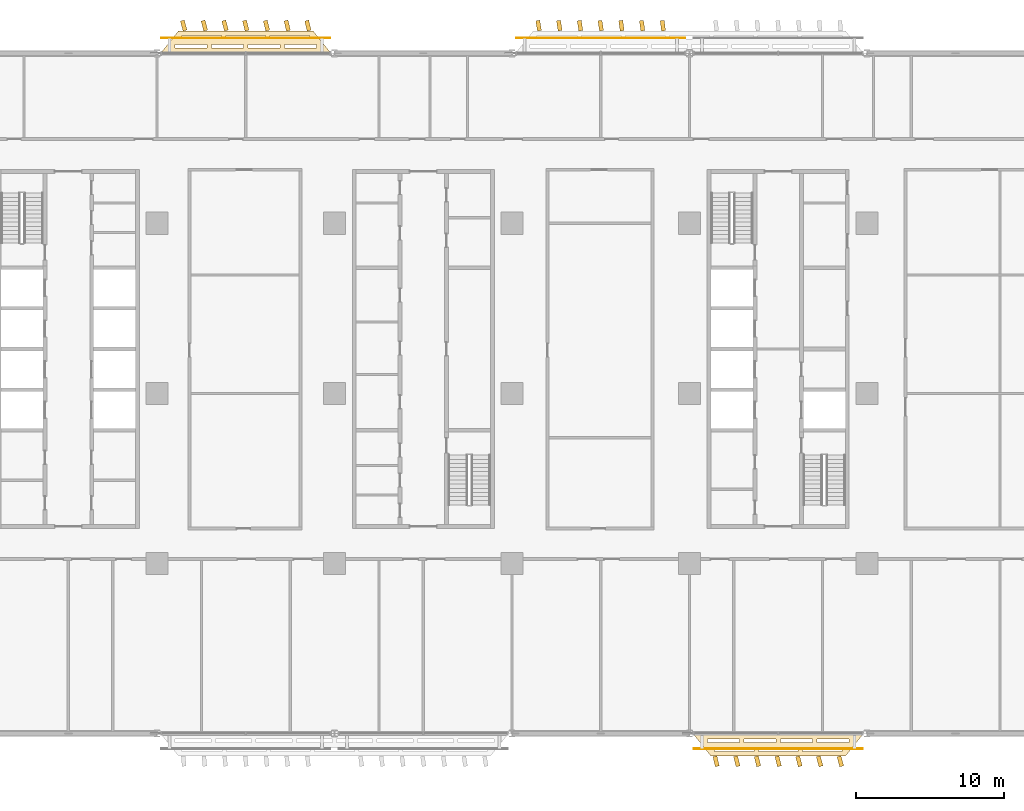
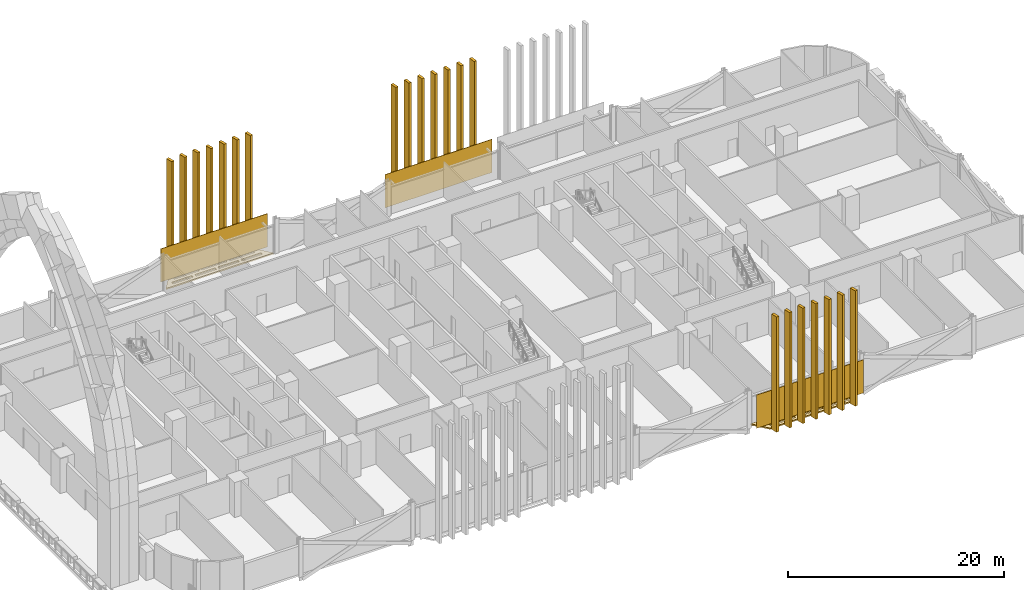
# One storey, part 26 of 29: 26 coverings.
"""IFC4 building model written with IfcOpenShell, lengths in metres."""

from ifc_helpers import new_model, si_unit, direction, frame, origin, origin_2d, place, context, subcontext, project, spatial, polyline, rectangle, outline, extrude, material, layer, layer_set, type_object, element, save


model = new_model("IFC4")

# Units and contexts
model_context = context("Model", 3, precision=1e-05, world=origin(), true_north=direction((0.0, 1.0)))
body_context = subcontext(model_context, "Body", "Model", "MODEL_VIEW")
ifc_project = project(units=[si_unit("LENGTHUNIT", "METRE"), si_unit("AREAUNIT", "SQUARE_METRE"), si_unit("VOLUMEUNIT", "CUBIC_METRE"), si_unit("PLANEANGLEUNIT", "RADIAN"), si_unit("MASSUNIT", "GRAM", prefix="KILO")], contexts=[model_context])

# Site, building, storey
site_placement = place(None, origin())
site = spatial("IfcSite", under=ifc_project, at=site_placement, CompositionType="ELEMENT")
building_placement = place(site_placement, origin())
building = spatial("IfcBuilding", under=site, at=building_placement, Name="Mahtab Terrace Research Tower", CompositionType="ELEMENT")
storey_placement = place(building_placement, frame((0.0, 0.0, 46.0)))
storey = spatial("IfcBuildingStorey", under=building, at=storey_placement, Name="L10", CompositionType="ELEMENT", Elevation=46.0)

# Coverings
ifc_material_1 = material(Name="Black anodised aluminium", Category="aluminium")
ifc_layer_1 = layer(ifc_material_1, 0.14990234375)
ifc_layer_set_1 = layer_set([ifc_layer_1], Name="Horizontal sunshade band")
covering_type_1 = type_object("IfcCoveringType", Name="Horizontal sunshade band", PredefinedType="CLADDING", material=ifc_layer_set_1)
covering_1_placement = place(storey_placement, frame((0.0, 0.0, -0.14990234375)))
element("IfcCovering", 1, at=covering_1_placement, inside=storey, type_object=covering_type_1, Name="Sunshade band L10 8", PredefinedType="CLADDING", context=body_context, shape_type="SweptSolid", body=[
    extrude(outline(polyline([(-6.238037109375, 23.0), (-17.761962890625, 23.0), (-16.56201171875, 24.5), (-7.43798828125, 24.5), (-6.238037109375, 23.0)]), holes=[polyline([(-7.218017578125, 23.35009765625), (-9.384033203125, 23.35009765625), (-9.384033203125, 23.60009765625), (-7.218017578125, 23.60009765625), (-7.218017578125, 23.35009765625)]), polyline([(-9.68408203125, 23.35009765625), (-11.85009765625, 23.35009765625), (-11.85009765625, 23.60009765625), (-9.68408203125, 23.60009765625), (-9.68408203125, 23.35009765625)]), polyline([(-12.14990234375, 23.35009765625), (-14.31591796875, 23.35009765625), (-14.31591796875, 23.60009765625), (-12.14990234375, 23.60009765625), (-12.14990234375, 23.35009765625)]), polyline([(-14.615966796875, 23.35009765625), (-16.781982421875, 23.35009765625), (-16.781982421875, 23.60009765625), (-14.615966796875, 23.60009765625), (-14.615966796875, 23.35009765625)]), polyline([(-7.697998046875, 23.949951171875), (-10.365966796875, 23.949951171875), (-10.365966796875, 24.199951171875), (-7.697998046875, 24.199951171875), (-7.697998046875, 23.949951171875)]), polyline([(-10.666015625, 23.949951171875), (-13.333984375, 23.949951171875), (-13.333984375, 24.199951171875), (-10.666015625, 24.199951171875), (-10.666015625, 23.949951171875)]), polyline([(-13.634033203125, 23.949951171875), (-16.302001953125, 23.949951171875), (-16.302001953125, 24.199951171875), (-13.634033203125, 24.199951171875), (-13.634033203125, 23.949951171875)])]), origin(), (0.0, 0.0, 1.0), 0.14990234375),
])
covering_2_placement = place(storey_placement, frame((0.0, 0.0, -0.14990234375)))
element("IfcCovering", 2, at=covering_2_placement, inside=storey, type_object=covering_type_1, Name="Sunshade band L10 28", PredefinedType="CLADDING", context=body_context, shape_type="SweptSolid", body=[
    extrude(outline(polyline([(18.238037109375, -23.0), (29.761962890625, -23.0), (28.56201171875, -24.5), (19.43798828125, -24.5), (18.238037109375, -23.0)]), holes=[polyline([(19.218017578125, -23.35009765625), (21.384033203125, -23.35009765625), (21.384033203125, -23.60009765625), (19.218017578125, -23.60009765625), (19.218017578125, -23.35009765625)]), polyline([(21.68408203125, -23.35009765625), (23.85009765625, -23.35009765625), (23.85009765625, -23.60009765625), (21.68408203125, -23.60009765625), (21.68408203125, -23.35009765625)]), polyline([(24.14990234375, -23.35009765625), (26.31591796875, -23.35009765625), (26.31591796875, -23.60009765625), (24.14990234375, -23.60009765625), (24.14990234375, -23.35009765625)]), polyline([(26.615966796875, -23.35009765625), (28.781982421875, -23.35009765625), (28.781982421875, -23.60009765625), (26.615966796875, -23.60009765625), (26.615966796875, -23.35009765625)]), polyline([(19.697998046875, -23.949951171875), (22.365966796875, -23.949951171875), (22.365966796875, -24.199951171875), (19.697998046875, -24.199951171875), (19.697998046875, -23.949951171875)]), polyline([(22.666015625, -23.949951171875), (25.333984375, -23.949951171875), (25.333984375, -24.199951171875), (22.666015625, -24.199951171875), (22.666015625, -23.949951171875)]), polyline([(25.634033203125, -23.949951171875), (28.302001953125, -23.949951171875), (28.302001953125, -24.199951171875), (25.634033203125, -24.199951171875), (25.634033203125, -23.949951171875)])]), origin(), (0.0, 0.0, 1.0), 0.14990234375),
])
ifc_material_2 = material(Name="Bronze anodised aluminium", Category="aluminium")
ifc_layer_2 = layer(ifc_material_2, 0.050048828125)
ifc_layer_set_2 = layer_set([ifc_layer_2], Name="Sky lounge girih screen panel")
covering_type_2 = type_object("IfcCoveringType", Name="Sky lounge girih screen panel", PredefinedType="CLADDING", material=ifc_layer_set_2)
for number, where, z_axis, x_axis, name in (
    (3, (12.0, 24.02490234375, 0.10009765625), (0.0, 0.0, 1.0), (-1.0, 0.0, 0.0), "Girih screen L10 N7"),
    (4, (-12.0, 24.02490234375, 0.10009765625), (0.0, 0.0, 1.0), (-1.0, 0.0, 0.0), "Girih screen L10 N9"),
    (5, (24.0, -24.02490234375, 0.10009765625), (0.0, 0.0, 1.0), (1.0, 0.0, 0.0), "Girih screen L10 S29"),
):
    element("IfcCovering", number, at=place(storey_placement, frame(where, z_axis=z_axis, x_axis=x_axis)), inside=storey, type_object=covering_type_2, Name=name, PredefinedType="CLADDING", context=body_context, shape_type="SweptSolid", body=[
        extrude(rectangle(XDim=11.424072265625, YDim=0.050048828125, at=origin_2d()), origin(), (0.0, 0.0, 1.0), 3.760009765625),
    ])
ifc_layer_3 = layer(ifc_material_2, 0.1201171875)
ifc_layer_set_3 = layer_set([ifc_layer_3], Name="Vertical fin 700")
covering_type_3 = type_object("IfcCoveringType", Name="Vertical fin 700", PredefinedType="CLADDING", material=ifc_layer_set_3)
for number, where, z_axis, x_axis, name in (
    (6, (16.199951171875, 24.865478515625, -0.14990234375), (0.0, 0.0, 1.0), (-0.991281368707, -0.131762088833, 0.0), "Fin L10 N1"),
    (7, (14.800048828125, 24.865966796875, -0.14990234375), (0.0, 0.0, 1.0), (-0.990498036675, -0.137526867716, 0.0), "Fin L10 N2"),
    (8, (13.39990234375, 24.866455078125, -0.14990234375), (0.0, 0.0, 1.0), (-0.989681179966, -0.143286991809, 0.0), "Fin L10 N3"),
    (9, (12.0, 24.866943359375, -0.14990234375), (0.0, 0.0, 1.0), (-0.988830826226, -0.149042266169, 0.0), "Fin L10 N4"),
    (10, (10.60009765625, 24.867431640625, -0.14990234375), (0.0, 0.0, 1.0), (-0.987947004235, -0.154792496019, 0.0), "Fin L10 N5"),
    (11, (9.199951171875, 24.867919921875, -0.14990234375), (0.0, 0.0, 1.0), (-0.98702974391, -0.160537486702, 0.0), "Fin L10 N6"),
    (12, (7.800048828125, 24.868408203125, -0.14990234375), (0.0, 0.0, 1.0), (-0.986079076296, -0.166277043787, 0.0), "Fin L10 N7"),
    (13, (-7.800048828125, 24.872802734375, -0.14990234375), (0.0, 0.0, 1.0), (-0.973236201459, -0.22980708468, 0.0), "Fin L10 N1"),
    (14, (-9.199951171875, 24.873046875, -0.14990234375), (0.0, 0.0, 1.0), (-0.971882775364, -0.235465222381, 0.0), "Fin L10 N2"),
    (15, (-10.60009765625, 24.87353515625, -0.14990234375), (0.0, 0.0, 1.0), (-0.970496454648, -0.24111539046, 0.0), "Fin L10 N3"),
    (16, (-12.0, 24.873779296875, -0.14990234375), (0.0, 0.0, 1.0), (-0.969077286228, -0.246757397695, 0.0), "Fin L10 N4"),
    (17, (-13.39990234375, 24.8740234375, -0.14990234375), (0.0, 0.0, 1.0), (-0.967625318147, -0.252391053092, 0.0), "Fin L10 N5"),
    (18, (-14.800048828125, 24.874267578125, -0.14990234375), (0.0, 0.0, 1.0), (-0.966140599544, -0.25801616599, 0.0), "Fin L10 N6"),
    (19, (-16.199951171875, 24.87451171875, -0.14990234375), (0.0, 0.0, 1.0), (-0.964623180667, -0.263632546017, 0.0), "Fin L10 N7"),
    (20, (19.800048828125, -24.872802734375, -0.14990234375), (0.0, 0.0, 1.0), (0.973236201459, 0.22980708468, 0.0), "Fin L10 S1"),
    (21, (21.199951171875, -24.873046875, -0.14990234375), (0.0, 0.0, 1.0), (0.971882775364, 0.235465222381, 0.0), "Fin L10 S2"),
    (22, (22.60009765625, -24.87353515625, -0.14990234375), (0.0, 0.0, 1.0), (0.970496454648, 0.24111539046, 0.0), "Fin L10 S3"),
    (23, (24.0, -24.873779296875, -0.14990234375), (0.0, 0.0, 1.0), (0.969077286228, 0.246757397695, 0.0), "Fin L10 S4"),
    (24, (25.39990234375, -24.8740234375, -0.14990234375), (0.0, 0.0, 1.0), (0.967625318147, 0.252391053092, 0.0), "Fin L10 S5"),
    (25, (26.800048828125, -24.874267578125, -0.14990234375), (0.0, 0.0, 1.0), (0.966140599544, 0.25801616599, 0.0), "Fin L10 S6"),
    (26, (28.199951171875, -24.87451171875, -0.14990234375), (0.0, 0.0, 1.0), (0.964623180667, 0.263632546017, 0.0), "Fin L10 S7"),
):
    element("IfcCovering", number, at=place(storey_placement, frame(where, z_axis=z_axis, x_axis=x_axis)), inside=storey, type_object=covering_type_3, Name=name, PredefinedType="CLADDING", context=body_context, shape_type="SweptSolid", body=[
        extrude(rectangle(XDim=0.280029296875, YDim=0.699951171875, at=origin_2d()), origin(), (0.0, 0.0, 1.0), 13.050048828125),
    ])

save(model, "model.ifc")
